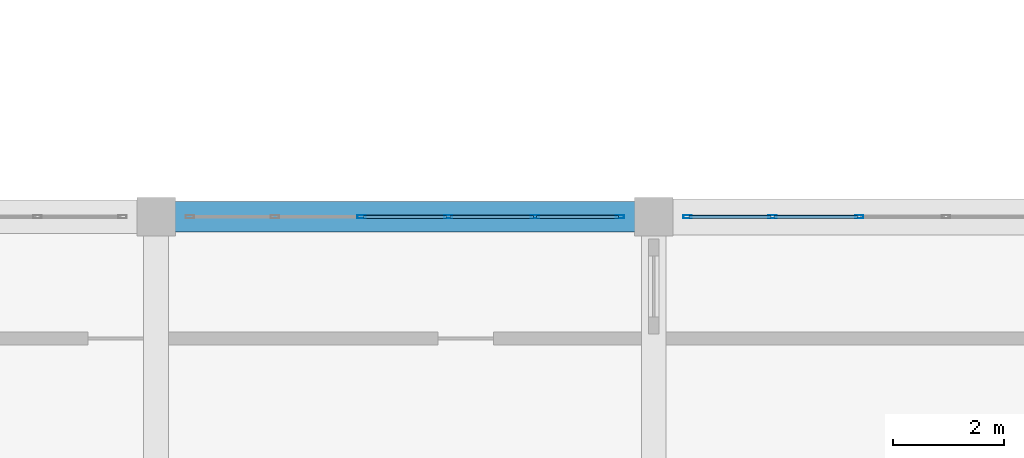
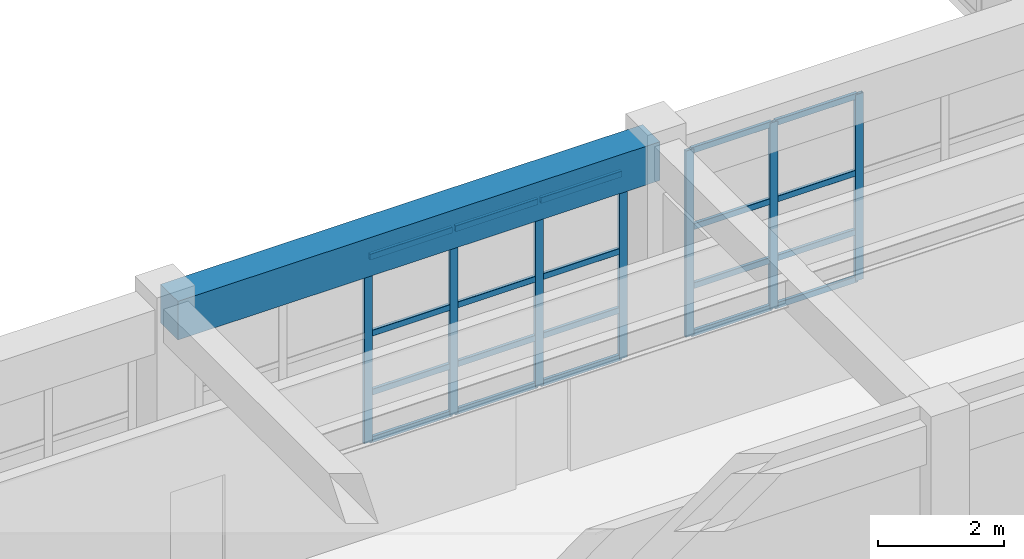
# One storey, part 31 of 133: 27 members, 1 beam, 2 elements without a shape of their own.
"""IFC4 building model written with IfcOpenShell, lengths in metres."""

from ifc_helpers import new_model, si_unit, direction, frame, origin, origin_2d, place, context, subcontext, project, spatial, rectangle, hollow_rectangle, extrude, material, material_profile, profile_set, type_object, element, aggregate, save


model = new_model("IFC4")

# Units and contexts
model_context = context("Model", 3, precision=1e-05, world=origin(), true_north=direction((0.0, 1.0)))
body_context = subcontext(model_context, "Body", "Model", "MODEL_VIEW")
ifc_project = project(units=[si_unit("LENGTHUNIT", "METRE"), si_unit("AREAUNIT", "SQUARE_METRE"), si_unit("VOLUMEUNIT", "CUBIC_METRE"), si_unit("PLANEANGLEUNIT", "RADIAN"), si_unit("MASSUNIT", "GRAM", prefix="KILO")], contexts=[model_context])

# Site, building, storey
site_placement = place(None, origin())
site = spatial("IfcSite", under=ifc_project, at=site_placement, CompositionType="ELEMENT")
building_placement = place(site_placement, origin())
building = spatial("IfcBuilding", under=site, at=building_placement, Name="Miravela Opera House", CompositionType="ELEMENT")
storey_placement = place(building_placement, frame((0.0, 0.0, 5.10009765625)))
storey = spatial("IfcBuildingStorey", under=building, at=storey_placement, Name="L01", CompositionType="ELEMENT", Elevation=5.10009765625)

# Curtain wall, members
ifc_material_1 = material(Name="Anodised architectural bronze aluminium 6063-T6", Category="aluminium")
curtain_wall_type = type_object("IfcCurtainWallType", Name="ARC-CW-06", PredefinedType="NOTDEFINED", material=ifc_material_1)
curtain_wall_1_placement = place(storey_placement, origin())
curtain_wall_1 = element("IfcCurtainWall", 1, at=curtain_wall_1_placement, inside=storey, type_object=curtain_wall_type, Name="Courtyard Arcade Curtain Wall CW-L01-129", PredefinedType="NOTDEFINED")
ifc_material_profile_1 = material_profile(ifc_material_1, hollow_rectangle(XDim=0.06005859375, YDim=0.14990234375, WallThickness=0.00390625, InnerFilletRadius=0.001953125, OuterFilletRadius=0.00390625, at=origin_2d()), Name="CWM-60X150")
ifc_profile_set_1 = profile_set([ifc_material_profile_1])
member_type_1 = type_object("IfcMemberType", Name="ARC-CWM-150", PredefinedType="MULLION", material=ifc_profile_set_1)
member_1_placement = place(storey_placement, frame((48.716064453125, 9.0, 0.0), z_axis=(0.0, 0.0, 1.0), x_axis=(0.0, 1.0, 0.0)))
member_1 = element("IfcMember", 2, at=member_1_placement, type_object=member_type_1, Name="CW-06 mullion 3", PredefinedType="MULLION", context=body_context, shape_type="SweptSolid", body=[
    extrude(hollow_rectangle(XDim=0.06005859375, YDim=0.14990234375, WallThickness=0.00390625, InnerFilletRadius=0.001953125, OuterFilletRadius=0.00390625, at=origin_2d()), origin(), (0.0, 0.0, 1.0), 3.60986328125),
])
member_2_placement = place(storey_placement, frame((50.283935546875, 9.0, 0.0), z_axis=(0.0, 0.0, 1.0), x_axis=(0.0, 1.0, 0.0)))
member_2 = element("IfcMember", 3, at=member_2_placement, type_object=member_type_1, Name="CW-06 mullion 4", PredefinedType="MULLION", context=body_context, shape_type="SweptSolid", body=[
    extrude(hollow_rectangle(XDim=0.06005859375, YDim=0.14990234375, WallThickness=0.00390625, InnerFilletRadius=0.001953125, OuterFilletRadius=0.00390625, at=origin_2d()), origin(), (0.0, 0.0, 1.0), 3.60986328125),
])
member_3_placement = place(storey_placement, frame((51.85205078125, 9.0, 0.0), z_axis=(0.0, 0.0, 1.0), x_axis=(0.0, 1.0, 0.0)))
member_3 = element("IfcMember", 4, at=member_3_placement, type_object=member_type_1, Name="CW-06 mullion 5", PredefinedType="MULLION", context=body_context, shape_type="SweptSolid", body=[
    extrude(hollow_rectangle(XDim=0.06005859375, YDim=0.14990234375, WallThickness=0.00390625, InnerFilletRadius=0.001953125, OuterFilletRadius=0.00390625, at=origin_2d()), origin(), (0.0, 0.0, 1.0), 3.60986328125),
])
member_4_placement = place(storey_placement, frame((53.389892578125, 9.0, 0.0), z_axis=(0.0, 0.0, 1.0), x_axis=(0.0, 1.0, 0.0)))
member_4 = element("IfcMember", 5, at=member_4_placement, type_object=member_type_1, Name="CW-06 mullion 6", PredefinedType="MULLION", context=body_context, shape_type="SweptSolid", body=[
    extrude(hollow_rectangle(XDim=0.06005859375, YDim=0.14990234375, WallThickness=0.00390625, InnerFilletRadius=0.001953125, OuterFilletRadius=0.00390625, at=origin_2d()), origin(), (0.0, 0.0, 1.0), 3.60986328125),
])

curtain_wall_2_placement = place(storey_placement, origin())
curtain_wall_2 = element("IfcCurtainWall", 6, at=curtain_wall_2_placement, inside=storey, type_object=curtain_wall_type, Name="Courtyard Arcade Curtain Wall CW-L01-131", PredefinedType="NOTDEFINED")
member_5_placement = place(storey_placement, frame((54.610107421875, 9.0, 0.0), z_axis=(0.0, 0.0, 1.0), x_axis=(0.0, 1.0, 0.0)))
member_5 = element("IfcMember", 7, at=member_5_placement, type_object=member_type_1, Name="CW-06 mullion 1", PredefinedType="MULLION", context=body_context, shape_type="SweptSolid", body=[
    extrude(hollow_rectangle(XDim=0.06005859375, YDim=0.14990234375, WallThickness=0.00390625, InnerFilletRadius=0.001953125, OuterFilletRadius=0.00390625, at=origin_2d()), origin(), (0.0, 0.0, 1.0), 3.60986328125),
])
member_6_placement = place(storey_placement, frame((56.14794921875, 9.0, 0.0), z_axis=(0.0, 0.0, 1.0), x_axis=(0.0, 1.0, 0.0)))
member_6 = element("IfcMember", 8, at=member_6_placement, type_object=member_type_1, Name="CW-06 mullion 2", PredefinedType="MULLION", context=body_context, shape_type="SweptSolid", body=[
    extrude(hollow_rectangle(XDim=0.06005859375, YDim=0.14990234375, WallThickness=0.00390625, InnerFilletRadius=0.001953125, OuterFilletRadius=0.00390625, at=origin_2d()), origin(), (0.0, 0.0, 1.0), 3.60986328125),
])
member_7_placement = place(storey_placement, frame((57.716064453125, 9.0, 0.0), z_axis=(0.0, 0.0, 1.0), x_axis=(0.0, 1.0, 0.0)))
member_7 = element("IfcMember", 9, at=member_7_placement, type_object=member_type_1, Name="CW-06 mullion 3", PredefinedType="MULLION", context=body_context, shape_type="SweptSolid", body=[
    extrude(hollow_rectangle(XDim=0.06005859375, YDim=0.14990234375, WallThickness=0.00390625, InnerFilletRadius=0.001953125, OuterFilletRadius=0.00390625, at=origin_2d()), origin(), (0.0, 0.0, 1.0), 3.60986328125),
])

# Member
ifc_material_profile_2 = material_profile(ifc_material_1, hollow_rectangle(XDim=0.06005859375, YDim=0.114990234375, WallThickness=0.00390625, InnerFilletRadius=0.001953125, OuterFilletRadius=0.00390625, at=origin_2d()), Name="CWT-60X115")
ifc_profile_set_2 = profile_set([ifc_material_profile_2])
member_type_2 = type_object("IfcMemberType", Name="ARC-CWT-115", PredefinedType="USERDEFINED", material=ifc_profile_set_2)
member_8_placement = place(storey_placement, frame((48.74609375, 9.0, 0.02978515625), z_axis=(1.0, 0.0, 0.0), x_axis=(0.0, 1.0, 0.0)))
member_8 = element("IfcMember", 10, at=member_8_placement, type_object=member_type_2, Name="CW-06 transom 3.1", ObjectType="TRANSOM", PredefinedType="USERDEFINED", context=body_context, shape_type="SweptSolid", body=[
    extrude(hollow_rectangle(XDim=0.06005859375, YDim=0.114990234375, WallThickness=0.00390625, InnerFilletRadius=0.001953125, OuterFilletRadius=0.00390625, at=origin_2d()), origin(), (0.0, 0.0, 1.0), 1.5078125),
])

member_9_placement = place(storey_placement, frame((48.74609375, 9.0, 0.949951171875), z_axis=(1.0, 0.0, 0.0), x_axis=(0.0, 1.0, 0.0)))
member_9 = element("IfcMember", 11, at=member_9_placement, type_object=member_type_2, Name="CW-06 transom 3.2", ObjectType="TRANSOM", PredefinedType="USERDEFINED", context=body_context, shape_type="SweptSolid", body=[
    extrude(hollow_rectangle(XDim=0.06005859375, YDim=0.114990234375, WallThickness=0.00390625, InnerFilletRadius=0.001953125, OuterFilletRadius=0.00390625, at=origin_2d()), origin(), (0.0, 0.0, 1.0), 1.5078125),
])

member_10_placement = place(storey_placement, frame((48.74609375, 9.0, 2.09375), z_axis=(1.0, 0.0, 0.0), x_axis=(0.0, 1.0, 0.0)))
member_10 = element("IfcMember", 12, at=member_10_placement, type_object=member_type_2, Name="CW-06 transom 3.3", ObjectType="TRANSOM", PredefinedType="USERDEFINED", context=body_context, shape_type="SweptSolid", body=[
    extrude(hollow_rectangle(XDim=0.06005859375, YDim=0.114990234375, WallThickness=0.00390625, InnerFilletRadius=0.001953125, OuterFilletRadius=0.00390625, at=origin_2d()), origin(), (0.0, 0.0, 1.0), 1.5078125),
])

member_11_placement = place(storey_placement, frame((48.74609375, 9.0, 3.579833984375), z_axis=(1.0, 0.0, 0.0), x_axis=(0.0, 1.0, 0.0)))
member_11 = element("IfcMember", 13, at=member_11_placement, type_object=member_type_2, Name="CW-06 transom 3.4", ObjectType="TRANSOM", PredefinedType="USERDEFINED", context=body_context, shape_type="SweptSolid", body=[
    extrude(hollow_rectangle(XDim=0.06005859375, YDim=0.114990234375, WallThickness=0.00390625, InnerFilletRadius=0.001953125, OuterFilletRadius=0.00390625, at=origin_2d()), origin(), (0.0, 0.0, 1.0), 1.5078125),
])

member_12_placement = place(storey_placement, frame((50.31396484375, 9.0, 0.02978515625), z_axis=(1.0, 0.0, 0.0), x_axis=(0.0, 1.0, 0.0)))
member_12 = element("IfcMember", 14, at=member_12_placement, type_object=member_type_2, Name="CW-06 transom 4.1", ObjectType="TRANSOM", PredefinedType="USERDEFINED", context=body_context, shape_type="SweptSolid", body=[
    extrude(hollow_rectangle(XDim=0.06005859375, YDim=0.114990234375, WallThickness=0.00390625, InnerFilletRadius=0.001953125, OuterFilletRadius=0.00390625, at=origin_2d()), origin(), (0.0, 0.0, 1.0), 1.508056640625),
])

member_13_placement = place(storey_placement, frame((50.31396484375, 9.0, 0.949951171875), z_axis=(1.0, 0.0, 0.0), x_axis=(0.0, 1.0, 0.0)))
member_13 = element("IfcMember", 15, at=member_13_placement, type_object=member_type_2, Name="CW-06 transom 4.2", ObjectType="TRANSOM", PredefinedType="USERDEFINED", context=body_context, shape_type="SweptSolid", body=[
    extrude(hollow_rectangle(XDim=0.06005859375, YDim=0.114990234375, WallThickness=0.00390625, InnerFilletRadius=0.001953125, OuterFilletRadius=0.00390625, at=origin_2d()), origin(), (0.0, 0.0, 1.0), 1.508056640625),
])

member_14_placement = place(storey_placement, frame((50.31396484375, 9.0, 2.09375), z_axis=(1.0, 0.0, 0.0), x_axis=(0.0, 1.0, 0.0)))
member_14 = element("IfcMember", 16, at=member_14_placement, type_object=member_type_2, Name="CW-06 transom 4.3", ObjectType="TRANSOM", PredefinedType="USERDEFINED", context=body_context, shape_type="SweptSolid", body=[
    extrude(hollow_rectangle(XDim=0.06005859375, YDim=0.114990234375, WallThickness=0.00390625, InnerFilletRadius=0.001953125, OuterFilletRadius=0.00390625, at=origin_2d()), origin(), (0.0, 0.0, 1.0), 1.508056640625),
])

member_15_placement = place(storey_placement, frame((50.31396484375, 9.0, 3.579833984375), z_axis=(1.0, 0.0, 0.0), x_axis=(0.0, 1.0, 0.0)))
member_15 = element("IfcMember", 17, at=member_15_placement, type_object=member_type_2, Name="CW-06 transom 4.4", ObjectType="TRANSOM", PredefinedType="USERDEFINED", context=body_context, shape_type="SweptSolid", body=[
    extrude(hollow_rectangle(XDim=0.06005859375, YDim=0.114990234375, WallThickness=0.00390625, InnerFilletRadius=0.001953125, OuterFilletRadius=0.00390625, at=origin_2d()), origin(), (0.0, 0.0, 1.0), 1.508056640625),
])

member_16_placement = place(storey_placement, frame((51.882080078125, 9.0, 0.02978515625), z_axis=(1.0, 0.0, 0.0), x_axis=(0.0, 1.0, 0.0)))
member_16 = element("IfcMember", 18, at=member_16_placement, type_object=member_type_2, Name="CW-06 transom 5.1", ObjectType="TRANSOM", PredefinedType="USERDEFINED", context=body_context, shape_type="SweptSolid", body=[
    extrude(hollow_rectangle(XDim=0.06005859375, YDim=0.114990234375, WallThickness=0.00390625, InnerFilletRadius=0.001953125, OuterFilletRadius=0.00390625, at=origin_2d()), origin(), (0.0, 0.0, 1.0), 1.47802734375),
])

member_17_placement = place(storey_placement, frame((51.882080078125, 9.0, 0.949951171875), z_axis=(1.0, 0.0, 0.0), x_axis=(0.0, 1.0, 0.0)))
member_17 = element("IfcMember", 19, at=member_17_placement, type_object=member_type_2, Name="CW-06 transom 5.2", ObjectType="TRANSOM", PredefinedType="USERDEFINED", context=body_context, shape_type="SweptSolid", body=[
    extrude(hollow_rectangle(XDim=0.06005859375, YDim=0.114990234375, WallThickness=0.00390625, InnerFilletRadius=0.001953125, OuterFilletRadius=0.00390625, at=origin_2d()), origin(), (0.0, 0.0, 1.0), 1.47802734375),
])

member_18_placement = place(storey_placement, frame((51.882080078125, 9.0, 2.09375), z_axis=(1.0, 0.0, 0.0), x_axis=(0.0, 1.0, 0.0)))
member_18 = element("IfcMember", 20, at=member_18_placement, type_object=member_type_2, Name="CW-06 transom 5.3", ObjectType="TRANSOM", PredefinedType="USERDEFINED", context=body_context, shape_type="SweptSolid", body=[
    extrude(hollow_rectangle(XDim=0.06005859375, YDim=0.114990234375, WallThickness=0.00390625, InnerFilletRadius=0.001953125, OuterFilletRadius=0.00390625, at=origin_2d()), origin(), (0.0, 0.0, 1.0), 1.47802734375),
])

member_19_placement = place(storey_placement, frame((51.882080078125, 9.0, 3.579833984375), z_axis=(1.0, 0.0, 0.0), x_axis=(0.0, 1.0, 0.0)))
member_19 = element("IfcMember", 21, at=member_19_placement, type_object=member_type_2, Name="CW-06 transom 5.4", ObjectType="TRANSOM", PredefinedType="USERDEFINED", context=body_context, shape_type="SweptSolid", body=[
    extrude(hollow_rectangle(XDim=0.06005859375, YDim=0.114990234375, WallThickness=0.00390625, InnerFilletRadius=0.001953125, OuterFilletRadius=0.00390625, at=origin_2d()), origin(), (0.0, 0.0, 1.0), 1.47802734375),
])

aggregate(curtain_wall_1, [member_1, member_2, member_3, member_4, member_8, member_9, member_10, member_11, member_12, member_13, member_14, member_15, member_16, member_17, member_18, member_19])

member_20_placement = place(storey_placement, frame((54.639892578125, 9.0, 0.02978515625), z_axis=(1.0, 0.0, 0.0), x_axis=(0.0, 1.0, 0.0)))
member_20 = element("IfcMember", 22, at=member_20_placement, type_object=member_type_2, Name="CW-06 transom 1.1", ObjectType="TRANSOM", PredefinedType="USERDEFINED", context=body_context, shape_type="SweptSolid", body=[
    extrude(hollow_rectangle(XDim=0.06005859375, YDim=0.114990234375, WallThickness=0.00390625, InnerFilletRadius=0.001953125, OuterFilletRadius=0.00390625, at=origin_2d()), origin(), (0.0, 0.0, 1.0), 1.47802734375),
])

member_21_placement = place(storey_placement, frame((54.639892578125, 9.0, 0.949951171875), z_axis=(1.0, 0.0, 0.0), x_axis=(0.0, 1.0, 0.0)))
member_21 = element("IfcMember", 23, at=member_21_placement, type_object=member_type_2, Name="CW-06 transom 1.2", ObjectType="TRANSOM", PredefinedType="USERDEFINED", context=body_context, shape_type="SweptSolid", body=[
    extrude(hollow_rectangle(XDim=0.06005859375, YDim=0.114990234375, WallThickness=0.00390625, InnerFilletRadius=0.001953125, OuterFilletRadius=0.00390625, at=origin_2d()), origin(), (0.0, 0.0, 1.0), 1.47802734375),
])

member_22_placement = place(storey_placement, frame((54.639892578125, 9.0, 2.09375), z_axis=(1.0, 0.0, 0.0), x_axis=(0.0, 1.0, 0.0)))
member_22 = element("IfcMember", 24, at=member_22_placement, type_object=member_type_2, Name="CW-06 transom 1.3", ObjectType="TRANSOM", PredefinedType="USERDEFINED", context=body_context, shape_type="SweptSolid", body=[
    extrude(hollow_rectangle(XDim=0.06005859375, YDim=0.114990234375, WallThickness=0.00390625, InnerFilletRadius=0.001953125, OuterFilletRadius=0.00390625, at=origin_2d()), origin(), (0.0, 0.0, 1.0), 1.47802734375),
])

member_23_placement = place(storey_placement, frame((54.639892578125, 9.0, 3.579833984375), z_axis=(1.0, 0.0, 0.0), x_axis=(0.0, 1.0, 0.0)))
member_23 = element("IfcMember", 25, at=member_23_placement, type_object=member_type_2, Name="CW-06 transom 1.4", ObjectType="TRANSOM", PredefinedType="USERDEFINED", context=body_context, shape_type="SweptSolid", body=[
    extrude(hollow_rectangle(XDim=0.06005859375, YDim=0.114990234375, WallThickness=0.00390625, InnerFilletRadius=0.001953125, OuterFilletRadius=0.00390625, at=origin_2d()), origin(), (0.0, 0.0, 1.0), 1.47802734375),
])

member_24_placement = place(storey_placement, frame((56.177978515625, 9.0, 0.02978515625), z_axis=(1.0, 0.0, 0.0), x_axis=(0.0, 1.0, 0.0)))
member_24 = element("IfcMember", 26, at=member_24_placement, type_object=member_type_2, Name="CW-06 transom 2.1", ObjectType="TRANSOM", PredefinedType="USERDEFINED", context=body_context, shape_type="SweptSolid", body=[
    extrude(hollow_rectangle(XDim=0.06005859375, YDim=0.114990234375, WallThickness=0.00390625, InnerFilletRadius=0.001953125, OuterFilletRadius=0.00390625, at=origin_2d()), origin(), (0.0, 0.0, 1.0), 1.508056640625),
])

member_25_placement = place(storey_placement, frame((56.177978515625, 9.0, 0.949951171875), z_axis=(1.0, 0.0, 0.0), x_axis=(0.0, 1.0, 0.0)))
member_25 = element("IfcMember", 27, at=member_25_placement, type_object=member_type_2, Name="CW-06 transom 2.2", ObjectType="TRANSOM", PredefinedType="USERDEFINED", context=body_context, shape_type="SweptSolid", body=[
    extrude(hollow_rectangle(XDim=0.06005859375, YDim=0.114990234375, WallThickness=0.00390625, InnerFilletRadius=0.001953125, OuterFilletRadius=0.00390625, at=origin_2d()), origin(), (0.0, 0.0, 1.0), 1.508056640625),
])

member_26_placement = place(storey_placement, frame((56.177978515625, 9.0, 2.09375), z_axis=(1.0, 0.0, 0.0), x_axis=(0.0, 1.0, 0.0)))
member_26 = element("IfcMember", 28, at=member_26_placement, type_object=member_type_2, Name="CW-06 transom 2.3", ObjectType="TRANSOM", PredefinedType="USERDEFINED", context=body_context, shape_type="SweptSolid", body=[
    extrude(hollow_rectangle(XDim=0.06005859375, YDim=0.114990234375, WallThickness=0.00390625, InnerFilletRadius=0.001953125, OuterFilletRadius=0.00390625, at=origin_2d()), origin(), (0.0, 0.0, 1.0), 1.508056640625),
])

member_27_placement = place(storey_placement, frame((56.177978515625, 9.0, 3.579833984375), z_axis=(1.0, 0.0, 0.0), x_axis=(0.0, 1.0, 0.0)))
member_27 = element("IfcMember", 29, at=member_27_placement, type_object=member_type_2, Name="CW-06 transom 2.4", ObjectType="TRANSOM", PredefinedType="USERDEFINED", context=body_context, shape_type="SweptSolid", body=[
    extrude(hollow_rectangle(XDim=0.06005859375, YDim=0.114990234375, WallThickness=0.00390625, InnerFilletRadius=0.001953125, OuterFilletRadius=0.00390625, at=origin_2d()), origin(), (0.0, 0.0, 1.0), 1.508056640625),
])

aggregate(curtain_wall_2, [member_5, member_6, member_7, member_20, member_21, member_22, member_23, member_24, member_25, member_26, member_27])

# Beam
ifc_material_2 = material(Name="Concrete C35/45", Category="concrete")
ifc_material_profile_3 = material_profile(ifc_material_2, rectangle(XDim=0.550048828125, YDim=0.75, at=origin_2d()), Name="RC-BM-550X750")
ifc_profile_set_3 = profile_set([ifc_material_profile_3])
beam_type = type_object("IfcBeamType", Name="STR-BM-RC550X750", PredefinedType="BEAM", material=ifc_profile_set_3)
beam_placement = place(storey_placement, frame((45.080078125, 9.0, 3.784912109375), z_axis=(1.0, 0.0, 0.0), x_axis=(0.0, 1.0, 0.0)))
element("IfcBeam", 30, at=beam_placement, inside=storey, type_object=beam_type, Name="Floor Girder L01 6-7/B", PredefinedType="BEAM", context=body_context, shape_type="SweptSolid", body=[
    extrude(rectangle(XDim=0.550048828125, YDim=0.75, at=origin_2d()), origin(), (0.0, 0.0, 1.0), 8.83984375),
])

save(model, "model.ifc")
